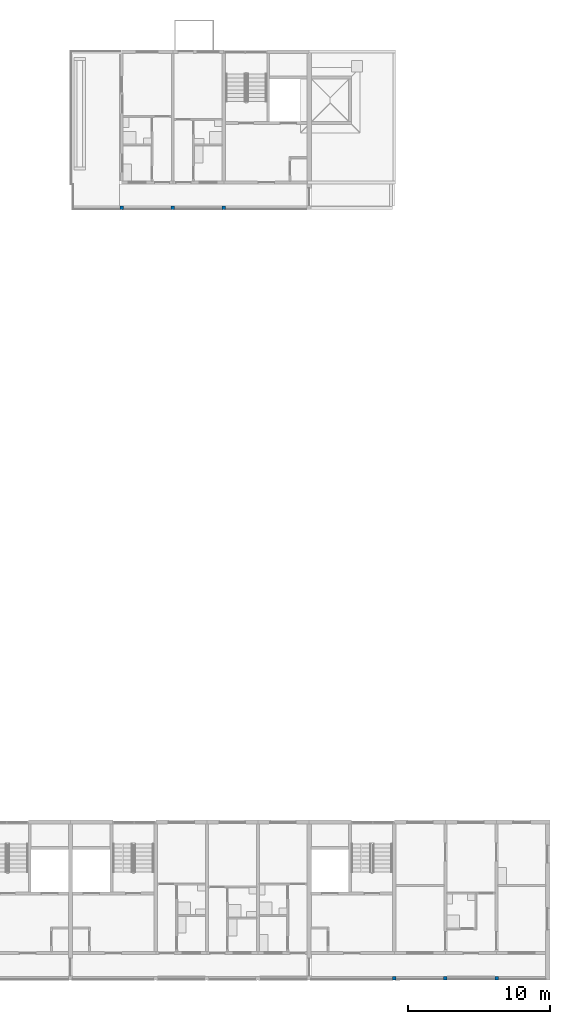
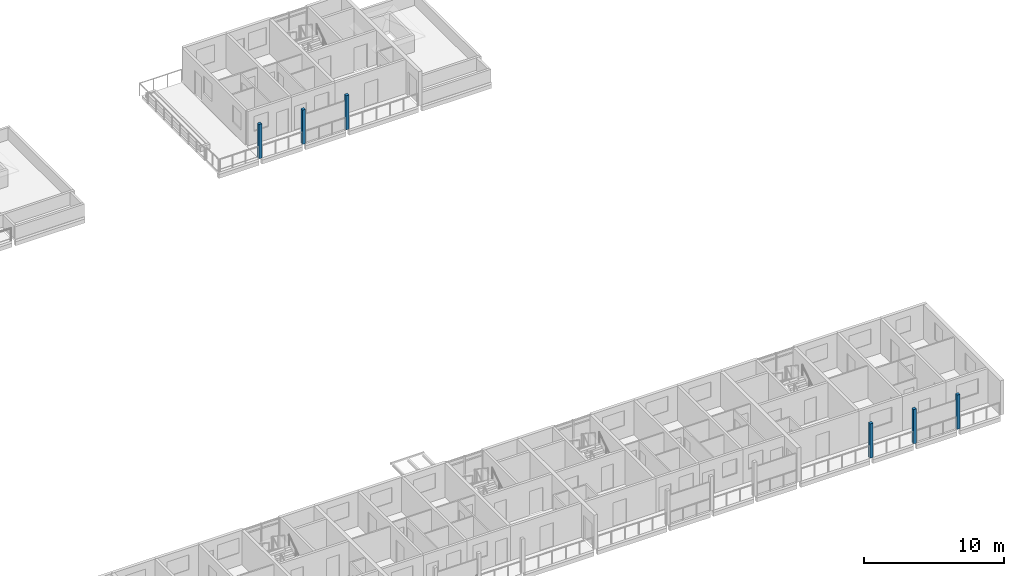
# One storey, part 4 of 78: 6 columns.
"""IFC4 building model written with IfcOpenShell, lengths in metres."""

import ifcopenshell
import ifcopenshell.guid

model = None  # the IFC model being written
_history = None  # IfcOwnerHistory: only IFC2X3 demands one
_inside = {}  # id of a spatial element -> (the spatial element, [elements in it])
_under = {}  # id of a project, library or spatial element -> (it, [spatial elements below it])
_declared = {}  # id of a project -> (the project, [libraries it declares])
_typed = {}  # id of a type object -> (the type object, [elements of that type])
_made_of = {}  # id of a material, layer set ... -> (it, [elements and type objects made of it])


def new_model(schema):
    """Start an empty IFC model of exactly this schema.

    Asked for "IFC4X3", IfcOpenShell would pick the latest addendum, in which some entities
    have other attributes; the version numbers below select the first issue.
    IFC2X3 requires an IfcOwnerHistory on every rooted entity: one is made here for all.
    """
    global model, _history
    if schema == "IFC4X3":
        model = ifcopenshell.file(schema_version=(4, 3, 0, 0))
    else:
        model = ifcopenshell.file(schema=schema)
    _inside.clear()
    _under.clear()
    _declared.clear()
    _typed.clear()
    _made_of.clear()
    _history = None
    if model.schema == "IFC2X3":
        org = make("IfcOrganization", Name="unknown")
        user = make(
            "IfcPersonAndOrganization",
            ThePerson=make("IfcPerson", FamilyName="unknown"),
            TheOrganization=org,
        )
        app = make(
            "IfcApplication",
            ApplicationDeveloper=org,
            Version="unknown",
            ApplicationFullName="unknown",
            ApplicationIdentifier="unknown",
        )
        _history = make(
            "IfcOwnerHistory",
            OwningUser=user,
            OwningApplication=app,
            ChangeAction="ADDED",
            CreationDate=0,
        )
    return model


def make(cls, **values):
    """One entity of the class cls with the attributes given. An attribute that is None is left unset."""
    return model.create_entity(
        cls, **{name: value for name, value in values.items() if value is not None}
    )


def rooted(cls, **values):
    """An entity with a GlobalId (a new one), such as an element, a storey or a relation."""
    return make(cls, GlobalId=ifcopenshell.guid.new(), OwnerHistory=_history, **values)


def si_unit(unit_type, name, prefix=None):
    """IfcSIUnit, for example si_unit("LENGTHUNIT", "METRE", prefix="MILLI")."""
    return make("IfcSIUnit", UnitType=unit_type, Prefix=prefix, Name=name)


def assignment(units):
    """IfcUnitAssignment: the units of a project."""
    return None if units is None else make("IfcUnitAssignment", Units=units)


def point(xyz):
    """IfcCartesianPoint."""
    return None if xyz is None else make("IfcCartesianPoint", Coordinates=xyz)


def direction(xyz):
    """IfcDirection."""
    return None if xyz is None else make("IfcDirection", DirectionRatios=xyz)


def frame(location, z_axis=None, x_axis=None):
    """IfcAxis2Placement3D, a coordinate frame: its origin and axes. An axis left out is left unset."""
    return make(
        "IfcAxis2Placement3D",
        Location=point(location),
        Axis=direction(z_axis),
        RefDirection=direction(x_axis),
    )


def frame_2d(location, x_axis=None):
    """IfcAxis2Placement2D, a coordinate frame in the plane: its origin and x axis."""
    return make(
        "IfcAxis2Placement2D", Location=point(location), RefDirection=direction(x_axis)
    )


def origin():
    """The frame at (0, 0, 0) with its axes left unset."""
    return frame((0.0, 0.0, 0.0))


def origin_2d():
    """The frame at (0, 0) in the plane with its x axis left unset."""
    return frame_2d((0.0, 0.0))


def place(relative_to, where):
    """IfcLocalPlacement: puts the frame where relative to a parent placement (None: the world)."""
    return make(
        "IfcLocalPlacement", PlacementRelTo=relative_to, RelativePlacement=where
    )


def context(
    kind, dimensions, precision=None, world=None, true_north=None, identifier=None
):
    """IfcGeometricRepresentationContext, for example the 3D "Model" context."""
    return make(
        "IfcGeometricRepresentationContext",
        ContextIdentifier=identifier,
        ContextType=kind,
        CoordinateSpaceDimension=dimensions,
        Precision=precision,
        WorldCoordinateSystem=world,
        TrueNorth=true_north,
    )


def subcontext(parent, identifier, kind, view, scale=None):
    """IfcGeometricRepresentationSubContext, for example "Body" below "Model"."""
    return make(
        "IfcGeometricRepresentationSubContext",
        ContextIdentifier=identifier,
        ContextType=kind,
        ParentContext=parent,
        TargetScale=scale,
        TargetView=view,
    )


def project(units=None, contexts=None):
    """IfcProject with its units and contexts."""
    return rooted(
        "IfcProject",
        Name="project",
        RepresentationContexts=contexts,
        UnitsInContext=assignment(units),
    )


def spatial(cls, under=None, at=None, **own):
    """A site, building, storey or space (cls), placed at a placement, below another one or the project."""
    s = rooted(cls, ObjectPlacement=at, **own)
    if under is not None:
        _under.setdefault(under.id(), (under, []))[1].append(s)
    return s


def profile(cls, at=None, kind="AREA", **sizes):
    """A parametric profile (cls). Its sizes go by their IFC names, for example OverallWidth=200.0."""
    return make(cls, ProfileType=kind, Position=at, **sizes)


def rectangle(**sizes):
    """IfcRectangleProfileDef."""
    return profile("IfcRectangleProfileDef", **sizes)


def extrude(swept, where, along, depth):
    """IfcExtrudedAreaSolid: the profile swept, set in the frame where, extruded along a direction by depth."""
    return make(
        "IfcExtrudedAreaSolid",
        SweptArea=swept,
        Position=where,
        ExtrudedDirection=direction(along),
        Depth=depth,
    )


def shape(context_of_items, identifier, shape_type, items):
    """IfcShapeRepresentation: the items that make up one representation, for example the "Body"."""
    return make(
        "IfcShapeRepresentation",
        ContextOfItems=context_of_items,
        RepresentationIdentifier=identifier,
        RepresentationType=shape_type,
        Items=items,
    )


def material(Name=None, Category=None):
    """IfcMaterial."""
    return make("IfcMaterial", Name=Name, Category=Category)


def material_profile(
    of_material, cross_section, Name=None, Category=None, Priority=None
):
    """IfcMaterialProfile: a cross section and its material."""
    return make(
        "IfcMaterialProfile",
        Name=Name,
        Material=of_material,
        Profile=cross_section,
        Priority=Priority,
        Category=Category,
    )


def profile_set(profiles, Name=None, composite=None):
    """IfcMaterialProfileSet."""
    return make(
        "IfcMaterialProfileSet",
        Name=Name,
        MaterialProfiles=profiles,
        CompositeProfile=composite,
    )


def made_of(thing, what):
    """Note that an element or type object is made of a material, layer set ...; save() writes the relation."""
    if what is not None:
        _made_of.setdefault(what.id(), (what, []))[1].append(thing)
    return thing


def type_object(cls, material=None, **own):
    """A type object (cls), such as IfcWallType, which elements share."""
    return made_of(rooted(cls, **own), material)


def element(
    cls,
    number,
    at=None,
    inside=None,
    cuts=None,
    type_object=None,
    material=None,
    context=None,
    identifier="Body",
    shape_type=None,
    held_by="IfcProductDefinitionShape",
    body=None,
    shapes=None,
    **own,
):
    """One element of the class cls, such as IfcWall. Its Tag is "e" and its number.

    at: its placement. inside: the storey or other place that contains it. cuts: it is an
    opening in that element (IfcRelVoidsElement). A single representation is given by context,
    identifier, shape_type and body (its items); several are given by shapes. held_by: the class
    of the entity that holds the representations. save() writes the other relations.
    """
    e = rooted(cls, Tag="e%d" % number, ObjectPlacement=at, **own)
    if body is not None:
        shapes = [shape(context, identifier, shape_type, body)]
    if shapes is not None:
        e.Representation = make(held_by, Representations=shapes)
    if inside is not None:
        _inside.setdefault(inside.id(), (inside, []))[1].append(e)
    if cuts is not None:
        rooted(
            "IfcRelVoidsElement", RelatingBuildingElement=cuts, RelatedOpeningElement=e
        )
    if type_object is not None:
        _typed.setdefault(type_object.id(), (type_object, []))[1].append(e)
    return made_of(e, material)


def aggregate(whole, parts):
    """IfcRelAggregates: a whole, such as a stair, and the parts it consists of."""
    return rooted("IfcRelAggregates", RelatingObject=whole, RelatedObjects=parts)


def save(model, path):
    """Write the relations noted so far, then the file.

    IfcRelAggregates (storeys below a building ...), IfcRelContainedInSpatialStructure (elements
    in a storey), IfcRelDefinesByType, IfcRelAssociatesMaterial and IfcRelDeclares: one each for
    every whole, place, type object, material and project.
    """
    for whole, parts in _under.values():
        aggregate(whole, parts)
    for where, things in _inside.values():
        rooted(
            "IfcRelContainedInSpatialStructure",
            RelatedElements=things,
            RelatingStructure=where,
        )
    for kind, things in _typed.values():
        rooted("IfcRelDefinesByType", RelatedObjects=things, RelatingType=kind)
    for what, things in _made_of.values():
        rooted("IfcRelAssociatesMaterial", RelatedObjects=things, RelatingMaterial=what)
    for by, libraries in _declared.values():
        rooted("IfcRelDeclares", RelatingContext=by, RelatedDefinitions=libraries)
    model.write(path)


model = new_model("IFC4")

# Units and contexts
model_context = context("Model", 3, precision=1e-05, world=origin(), true_north=direction((0.0, 1.0)))
body_context = subcontext(model_context, "Body", "Model", "MODEL_VIEW")
ifc_project = project(units=[si_unit("LENGTHUNIT", "METRE"), si_unit("AREAUNIT", "SQUARE_METRE"), si_unit("VOLUMEUNIT", "CUBIC_METRE"), si_unit("PLANEANGLEUNIT", "RADIAN"), si_unit("MASSUNIT", "GRAM", prefix="KILO")], contexts=[model_context])

# Site, building, storey
site_placement = place(None, origin())
site = spatial("IfcSite", under=ifc_project, at=site_placement, CompositionType="ELEMENT")
building_placement = place(site_placement, origin())
building = spatial("IfcBuilding", under=site, at=building_placement, Name="Ridgestep Commons", CompositionType="ELEMENT")
storey_placement = place(building_placement, frame((0.0, 0.0, 30.0)))
storey = spatial("IfcBuildingStorey", under=building, at=storey_placement, Name="L10", CompositionType="ELEMENT", Elevation=30.0)

# Columns
ifc_material = material(Name="Precast concrete C40/50", Category="concrete")
ifc_material_profile = material_profile(ifc_material, rectangle(XDim=0.25, YDim=0.25, at=origin_2d()), Name="PC 250x250")
ifc_profile_set = profile_set([ifc_material_profile], Name="Precast concrete C40/50")
column_type = type_object("IfcColumnType", Name="Loggia column 250 x 250", PredefinedType="COLUMN", material=ifc_profile_set)
for number, where, z_axis, x_axis, name in (
    (1, (217.60009765625, 66.125, 0.0), (0.0, 0.0, 1.0), (1.0, 0.0, 0.0), "Loggia column C L10"),
    (2, (221.199951171875, 66.125, 0.0), (0.0, 0.0, 1.0), (1.0, 0.0, 0.0), "Loggia column C L10"),
    (3, (224.800048828125, 66.125, 0.0), (0.0, 0.0, 1.0), (1.0, 0.0, 0.0), "Loggia column C L10"),
    (4, (236.800048828125, 11.875, 0.0), (0.0, 0.0, 1.0), (1.0, 0.0, 0.0), "Loggia column D L10"),
    (5, (240.39990234375, 11.875, 0.0), (0.0, 0.0, 1.0), (1.0, 0.0, 0.0), "Loggia column D L10"),
    (6, (244.0, 11.875, 0.0), (0.0, 0.0, 1.0), (1.0, 0.0, 0.0), "Loggia column D L10"),
):
    element("IfcColumn", number, at=place(storey_placement, frame(where, z_axis=z_axis, x_axis=x_axis)), inside=storey, type_object=column_type, Name=name, PredefinedType="COLUMN", context=body_context, shape_type="SweptSolid", body=[
        extrude(rectangle(XDim=0.25, YDim=0.25, at=origin_2d()), origin(), (0.0, 0.0, 1.0), 3.0),
    ])

save(model, "model.ifc")
